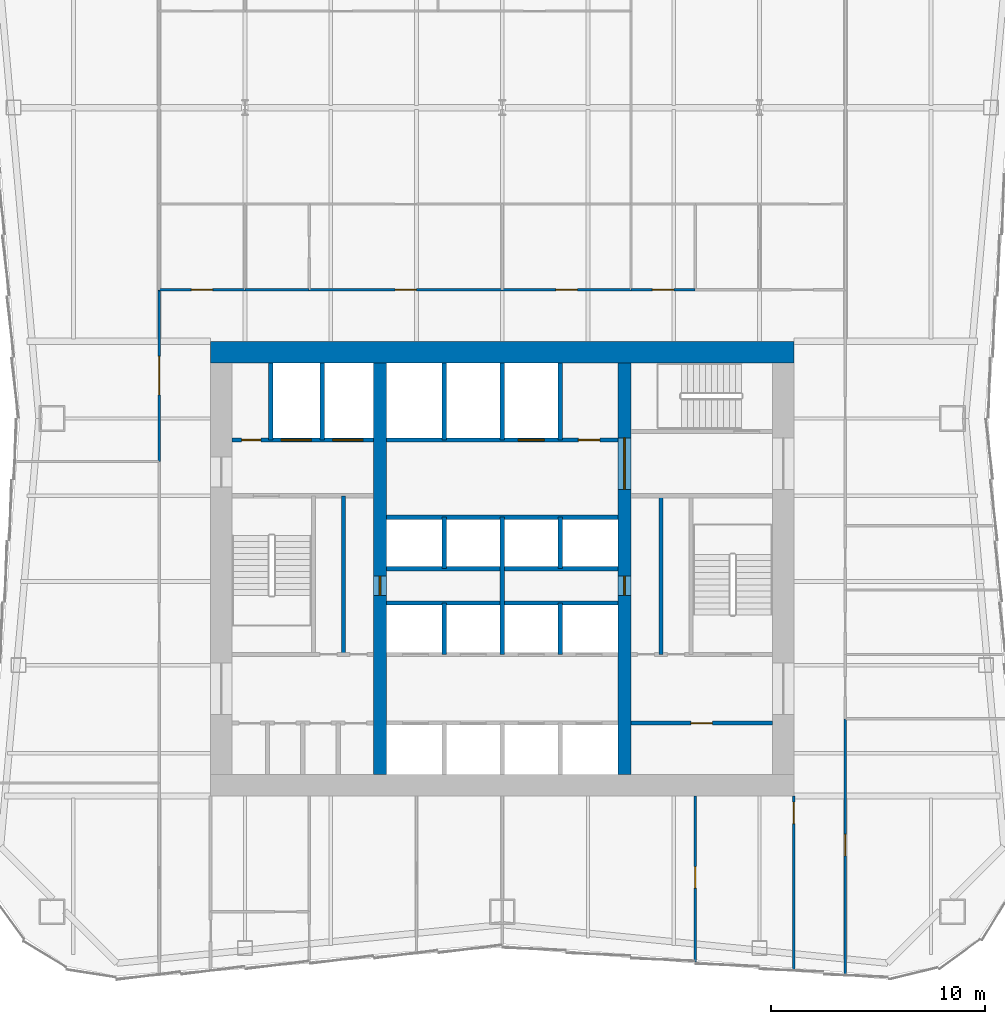
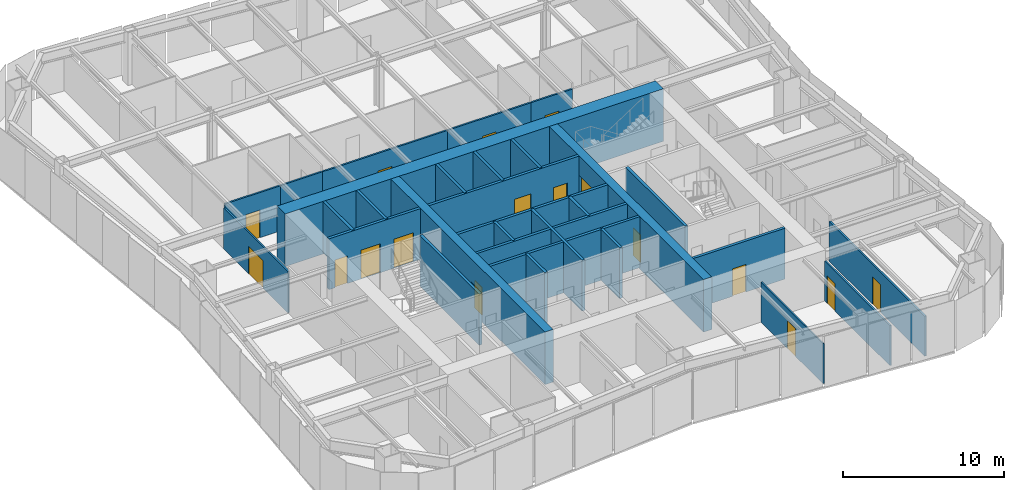
# One storey, part 5 of 8: 30 walls, 17 doors, 17 openings.
"""IFC4 building model written with IfcOpenShell, lengths in metres."""

import ifcopenshell
import ifcopenshell.guid

model = None  # the IFC model being written
_history = None  # IfcOwnerHistory: only IFC2X3 demands one
_inside = {}  # id of a spatial element -> (the spatial element, [elements in it])
_under = {}  # id of a project, library or spatial element -> (it, [spatial elements below it])
_declared = {}  # id of a project -> (the project, [libraries it declares])
_typed = {}  # id of a type object -> (the type object, [elements of that type])
_made_of = {}  # id of a material, layer set ... -> (it, [elements and type objects made of it])


def new_model(schema):
    """Start an empty IFC model of exactly this schema.

    Asked for "IFC4X3", IfcOpenShell would pick the latest addendum, in which some entities
    have other attributes; the version numbers below select the first issue.
    IFC2X3 requires an IfcOwnerHistory on every rooted entity: one is made here for all.
    """
    global model, _history
    if schema == "IFC4X3":
        model = ifcopenshell.file(schema_version=(4, 3, 0, 0))
    else:
        model = ifcopenshell.file(schema=schema)
    _inside.clear()
    _under.clear()
    _declared.clear()
    _typed.clear()
    _made_of.clear()
    _history = None
    if model.schema == "IFC2X3":
        org = make("IfcOrganization", Name="unknown")
        user = make(
            "IfcPersonAndOrganization",
            ThePerson=make("IfcPerson", FamilyName="unknown"),
            TheOrganization=org,
        )
        app = make(
            "IfcApplication",
            ApplicationDeveloper=org,
            Version="unknown",
            ApplicationFullName="unknown",
            ApplicationIdentifier="unknown",
        )
        _history = make(
            "IfcOwnerHistory",
            OwningUser=user,
            OwningApplication=app,
            ChangeAction="ADDED",
            CreationDate=0,
        )
    return model


def make(cls, **values):
    """One entity of the class cls with the attributes given. An attribute that is None is left unset."""
    return model.create_entity(
        cls, **{name: value for name, value in values.items() if value is not None}
    )


def rooted(cls, **values):
    """An entity with a GlobalId (a new one), such as an element, a storey or a relation."""
    return make(cls, GlobalId=ifcopenshell.guid.new(), OwnerHistory=_history, **values)


def si_unit(unit_type, name, prefix=None):
    """IfcSIUnit, for example si_unit("LENGTHUNIT", "METRE", prefix="MILLI")."""
    return make("IfcSIUnit", UnitType=unit_type, Prefix=prefix, Name=name)


def assignment(units):
    """IfcUnitAssignment: the units of a project."""
    return None if units is None else make("IfcUnitAssignment", Units=units)


def point(xyz):
    """IfcCartesianPoint."""
    return None if xyz is None else make("IfcCartesianPoint", Coordinates=xyz)


def direction(xyz):
    """IfcDirection."""
    return None if xyz is None else make("IfcDirection", DirectionRatios=xyz)


def frame(location, z_axis=None, x_axis=None):
    """IfcAxis2Placement3D, a coordinate frame: its origin and axes. An axis left out is left unset."""
    return make(
        "IfcAxis2Placement3D",
        Location=point(location),
        Axis=direction(z_axis),
        RefDirection=direction(x_axis),
    )


def frame_2d(location, x_axis=None):
    """IfcAxis2Placement2D, a coordinate frame in the plane: its origin and x axis."""
    return make(
        "IfcAxis2Placement2D", Location=point(location), RefDirection=direction(x_axis)
    )


def origin():
    """The frame at (0, 0, 0) with its axes left unset."""
    return frame((0.0, 0.0, 0.0))


def place(relative_to, where):
    """IfcLocalPlacement: puts the frame where relative to a parent placement (None: the world)."""
    return make(
        "IfcLocalPlacement", PlacementRelTo=relative_to, RelativePlacement=where
    )


def context(
    kind, dimensions, precision=None, world=None, true_north=None, identifier=None
):
    """IfcGeometricRepresentationContext, for example the 3D "Model" context."""
    return make(
        "IfcGeometricRepresentationContext",
        ContextIdentifier=identifier,
        ContextType=kind,
        CoordinateSpaceDimension=dimensions,
        Precision=precision,
        WorldCoordinateSystem=world,
        TrueNorth=true_north,
    )


def subcontext(parent, identifier, kind, view, scale=None):
    """IfcGeometricRepresentationSubContext, for example "Body" below "Model"."""
    return make(
        "IfcGeometricRepresentationSubContext",
        ContextIdentifier=identifier,
        ContextType=kind,
        ParentContext=parent,
        TargetScale=scale,
        TargetView=view,
    )


def project(units=None, contexts=None):
    """IfcProject with its units and contexts."""
    return rooted(
        "IfcProject",
        Name="project",
        RepresentationContexts=contexts,
        UnitsInContext=assignment(units),
    )


def spatial(cls, under=None, at=None, **own):
    """A site, building, storey or space (cls), placed at a placement, below another one or the project."""
    s = rooted(cls, ObjectPlacement=at, **own)
    if under is not None:
        _under.setdefault(under.id(), (under, []))[1].append(s)
    return s


def profile(cls, at=None, kind="AREA", **sizes):
    """A parametric profile (cls). Its sizes go by their IFC names, for example OverallWidth=200.0."""
    return make(cls, ProfileType=kind, Position=at, **sizes)


def rectangle(**sizes):
    """IfcRectangleProfileDef."""
    return profile("IfcRectangleProfileDef", **sizes)


def extrude(swept, where, along, depth):
    """IfcExtrudedAreaSolid: the profile swept, set in the frame where, extruded along a direction by depth."""
    return make(
        "IfcExtrudedAreaSolid",
        SweptArea=swept,
        Position=where,
        ExtrudedDirection=direction(along),
        Depth=depth,
    )


def shape(context_of_items, identifier, shape_type, items):
    """IfcShapeRepresentation: the items that make up one representation, for example the "Body"."""
    return make(
        "IfcShapeRepresentation",
        ContextOfItems=context_of_items,
        RepresentationIdentifier=identifier,
        RepresentationType=shape_type,
        Items=items,
    )


def material(Name=None, Category=None):
    """IfcMaterial."""
    return make("IfcMaterial", Name=Name, Category=Category)


def layer(
    of_material, thickness, ventilated=None, Name=None, Category=None, Priority=None
):
    """IfcMaterialLayer: one layer of a wall or slab, of a material (None: an air gap)."""
    return make(
        "IfcMaterialLayer",
        Material=of_material,
        LayerThickness=thickness,
        IsVentilated=ventilated,
        Name=Name,
        Category=Category,
        Priority=Priority,
    )


def layer_set(layers, Name=None):
    """IfcMaterialLayerSet."""
    return make("IfcMaterialLayerSet", MaterialLayers=layers, LayerSetName=Name)


def made_of(thing, what):
    """Note that an element or type object is made of a material, layer set ...; save() writes the relation."""
    if what is not None:
        _made_of.setdefault(what.id(), (what, []))[1].append(thing)
    return thing


def type_object(cls, material=None, **own):
    """A type object (cls), such as IfcWallType, which elements share."""
    return made_of(rooted(cls, **own), material)


def element(
    cls,
    number,
    at=None,
    inside=None,
    cuts=None,
    type_object=None,
    material=None,
    context=None,
    identifier="Body",
    shape_type=None,
    held_by="IfcProductDefinitionShape",
    body=None,
    shapes=None,
    **own,
):
    """One element of the class cls, such as IfcWall. Its Tag is "e" and its number.

    at: its placement. inside: the storey or other place that contains it. cuts: it is an
    opening in that element (IfcRelVoidsElement). A single representation is given by context,
    identifier, shape_type and body (its items); several are given by shapes. held_by: the class
    of the entity that holds the representations. save() writes the other relations.
    """
    e = rooted(cls, Tag="e%d" % number, ObjectPlacement=at, **own)
    if body is not None:
        shapes = [shape(context, identifier, shape_type, body)]
    if shapes is not None:
        e.Representation = make(held_by, Representations=shapes)
    if inside is not None:
        _inside.setdefault(inside.id(), (inside, []))[1].append(e)
    if cuts is not None:
        rooted(
            "IfcRelVoidsElement", RelatingBuildingElement=cuts, RelatedOpeningElement=e
        )
    if type_object is not None:
        _typed.setdefault(type_object.id(), (type_object, []))[1].append(e)
    return made_of(e, material)


def fill(opening, filler):
    """IfcRelFillsElement: the door or window that sits in an opening."""
    return rooted(
        "IfcRelFillsElement",
        RelatingOpeningElement=opening,
        RelatedBuildingElement=filler,
    )


def aggregate(whole, parts):
    """IfcRelAggregates: a whole, such as a stair, and the parts it consists of."""
    return rooted("IfcRelAggregates", RelatingObject=whole, RelatedObjects=parts)


def save(model, path):
    """Write the relations noted so far, then the file.

    IfcRelAggregates (storeys below a building ...), IfcRelContainedInSpatialStructure (elements
    in a storey), IfcRelDefinesByType, IfcRelAssociatesMaterial and IfcRelDeclares: one each for
    every whole, place, type object, material and project.
    """
    for whole, parts in _under.values():
        aggregate(whole, parts)
    for where, things in _inside.values():
        rooted(
            "IfcRelContainedInSpatialStructure",
            RelatedElements=things,
            RelatingStructure=where,
        )
    for kind, things in _typed.values():
        rooted("IfcRelDefinesByType", RelatedObjects=things, RelatingType=kind)
    for what, things in _made_of.values():
        rooted("IfcRelAssociatesMaterial", RelatedObjects=things, RelatingMaterial=what)
    for by, libraries in _declared.values():
        rooted("IfcRelDeclares", RelatingContext=by, RelatedDefinitions=libraries)
    model.write(path)


model = new_model("IFC4")

# Units and contexts
model_context = context("Model", 3, precision=1e-05, world=origin(), true_north=direction((0.0, 1.0)))
body_context = subcontext(model_context, "Body", "Model", "MODEL_VIEW")
ifc_project = project(units=[si_unit("LENGTHUNIT", "METRE"), si_unit("AREAUNIT", "SQUARE_METRE"), si_unit("VOLUMEUNIT", "CUBIC_METRE"), si_unit("PLANEANGLEUNIT", "RADIAN"), si_unit("MASSUNIT", "GRAM", prefix="KILO")], contexts=[model_context])

# Site, building, storey
site_placement = place(None, origin())
site = spatial("IfcSite", under=ifc_project, at=site_placement, CompositionType="ELEMENT")
building_placement = place(site_placement, origin())
building = spatial("IfcBuilding", under=site, at=building_placement, Name="Verdant Reach Tower", CompositionType="ELEMENT")
storey_placement = place(building_placement, frame((0.0, 0.0, 146.0)))
storey = spatial("IfcBuildingStorey", under=building, at=storey_placement, Name="L33", CompositionType="ELEMENT", Elevation=146.0)

# Wall, opening, door
ifc_material_1 = material(Name="Gypsum board on steel studs", Category="steel")
ifc_layer_1 = layer(ifc_material_1, 0.199951171875)
ifc_layer_set_1 = layer_set([ifc_layer_1], Name="CO-WALL-ROOM")
wall_type_1 = type_object("IfcWallType", Name="CO-WALL-ROOM", PredefinedType="PARTITIONING", material=ifc_layer_set_1)
wall_1_placement = place(storey_placement, frame((6.0, 20.800048828125, 0.0), z_axis=(0.0, 0.0, 1.0), x_axis=(1.0, 0.0, 0.0)))
wall_1 = element("IfcWall", 1, at=wall_1_placement, inside=storey, type_object=wall_type_1, Name="Core partition, L33", PredefinedType="PARTITIONING", context=body_context, shape_type="SweptSolid", body=[
    extrude(rectangle(XDim=6.60009765625, YDim=0.199951171875, at=frame_2d((3.300048828125, 0.0))), origin(), (0.0, 0.0, 1.0), 3.8701171875),
])
opening_1_placement = place(wall_1_placement, frame((2.800048828125, 0.0, 0.0)))
opening_1 = element("IfcOpeningElement", 2, at=opening_1_placement, cuts=wall_1, Name="Opening CD", PredefinedType="OPENING", context=body_context, shape_type="SweptSolid", body=[
    extrude(rectangle(XDim=1.0, YDim=2.10009765625, at=frame_2d((0.5, 1.050048828125))), frame((0.0, 0.10986328125, 0.0), z_axis=(0.0, -1.0, 0.0), x_axis=(1.0, 0.0, 0.0)), (0.0, 0.0, 1.0), 0.219970703125),
])
ifc_material_2 = material(Name="Timber", Category="wood")
door_type_1 = type_object("IfcDoorType", Name="CO-DOOR-ROOM", OperationType="NOTDEFINED", PredefinedType="DOOR", material=ifc_material_2)
door_1_placement = place(opening_1_placement, origin())
door_1 = element("IfcDoor", 3, at=door_1_placement, inside=storey, type_object=door_type_1, Name="Core room door, L33", OperationType="SINGLE_SWING_LEFT", OverallHeight=2.10009765625, OverallWidth=1.0, PredefinedType="DOOR", context=body_context, shape_type="SweptSolid", body=[
    extrude(rectangle(XDim=1.0, YDim=2.10009765625, at=frame_2d((0.5, 1.050048828125))), frame((0.0, 0.02490234375, 0.0), z_axis=(0.0, -1.0, 0.0), x_axis=(1.0, 0.0, 0.0)), (0.0, 0.0, 1.0), 0.050048828125),
])
fill(opening_1, door_1)

# Walls
for number, where, z_axis, x_axis, name in (
    (4, (-7.39990234375, 24.0, 0.0), (0.0, 0.0, 1.0), (0.0, 1.0, 0.0), "Core partition, L33"),
    (5, (7.39990234375, 24.0, 0.0), (0.0, 0.0, 1.0), (0.0, 1.0, 0.0), "Core partition, L33"),
):
    element("IfcWall", number, at=place(storey_placement, frame(where, z_axis=z_axis, x_axis=x_axis)), inside=storey, type_object=wall_type_1, Name=name, PredefinedType="PARTITIONING", context=body_context, shape_type="SweptSolid", body=[
        extrude(rectangle(XDim=7.39990234375, YDim=0.199951171875, at=frame_2d((3.699951171875, 0.0))), origin(), (0.0, 0.0, 1.0), 3.8701171875),
    ])
ifc_material_3 = material(Name="Concrete C40/50", Category="concrete")
ifc_layer_2 = layer(ifc_material_3, 0.199951171875)
ifc_layer_set_2 = layer_set([ifc_layer_2], Name="CO-WALL-SHAFT")
wall_type_2 = type_object("IfcWallType", Name="CO-WALL-SHAFT", PredefinedType="PARTITIONING", material=ifc_layer_set_2)
for number, where, z_axis, x_axis, name in (
    (6, (-5.39990234375, 26.39990234375, 0.0), (0.0, 0.0, 1.0), (1.0, 0.0, 0.0), "Lift shaft wall, L33"),
    (7, (-5.39990234375, 28.0, 0.0), (0.0, 0.0, 1.0), (1.0, 0.0, 0.0), "Lift shaft wall, L33"),
    (8, (-5.39990234375, 30.39990234375, 0.0), (0.0, 0.0, 1.0), (1.0, 0.0, 0.0), "Lift shaft wall, L33"),
):
    element("IfcWall", number, at=place(storey_placement, frame(where, z_axis=z_axis, x_axis=x_axis)), inside=storey, type_object=wall_type_2, Name=name, PredefinedType="PARTITIONING", context=body_context, shape_type="SweptSolid", body=[
        extrude(rectangle(XDim=10.7998046875, YDim=0.199951171875, at=frame_2d((5.39990234375, 0.0))), origin(), (0.0, 0.0, 1.0), 3.8701171875),
    ])

# Wall, openings, doors
wall_2_placement = place(storey_placement, frame((-12.60009765625, 34.0, 0.0), z_axis=(0.0, 0.0, 1.0), x_axis=(1.0, 0.0, 0.0)))
wall_2 = element("IfcWall", 9, at=wall_2_placement, inside=storey, type_object=wall_type_2, Name="Lift shaft wall, L33", PredefinedType="PARTITIONING", context=body_context, shape_type="SweptSolid", body=[
    extrude(rectangle(XDim=6.60009765625, YDim=0.199951171875, at=frame_2d((3.300048828125, 0.0))), origin(), (0.0, 0.0, 1.0), 3.8701171875),
])
opening_2_placement = place(wall_2_placement, frame((4.699951171875, 0.0, 0.0)))
opening_2 = element("IfcOpeningElement", 10, at=opening_2_placement, cuts=wall_2, Name="Opening LD-F1", PredefinedType="OPENING", context=body_context, shape_type="SweptSolid", body=[
    extrude(rectangle(XDim=1.39990234375, YDim=2.199951171875, at=frame_2d((0.699951171875, 1.10009765625))), frame((0.0, 0.10986328125, 0.0), z_axis=(0.0, -1.0, 0.0), x_axis=(1.0, 0.0, 0.0)), (0.0, 0.0, 1.0), 0.219970703125),
])
opening_3_placement = place(wall_2_placement, frame((2.300048828125, 0.0, 0.0)))
opening_3 = element("IfcOpeningElement", 11, at=opening_3_placement, cuts=wall_2, Name="Opening LD-F2", PredefinedType="OPENING", context=body_context, shape_type="SweptSolid", body=[
    extrude(rectangle(XDim=1.39990234375, YDim=2.199951171875, at=frame_2d((0.699951171875, 1.10009765625))), frame((0.0, 0.10986328125, 0.0), z_axis=(0.0, -1.0, 0.0), x_axis=(1.0, 0.0, 0.0)), (0.0, 0.0, 1.0), 0.219970703125),
])
opening_4_placement = place(wall_2_placement, frame((0.449951171875, 0.0, 0.0)))
opening_4 = element("IfcOpeningElement", 12, at=opening_4_placement, cuts=wall_2, Name="Opening RD", PredefinedType="OPENING", context=body_context, shape_type="SweptSolid", body=[
    extrude(rectangle(XDim=0.89990234375, YDim=2.10009765625, at=frame_2d((0.449951171875, 1.050048828125))), frame((0.0, 0.10986328125, 0.0), z_axis=(0.0, -1.0, 0.0), x_axis=(1.0, 0.0, 0.0)), (0.0, 0.0, 1.0), 0.219970703125),
])
ifc_material_4 = material(Name="Stainless steel", Category="steel")
door_type_2 = type_object("IfcDoorType", Name="CO-DOOR-LANDING-FF", OperationType="SLIDING_TO_LEFT", PredefinedType="DOOR", material=ifc_material_4)
door_2_placement = place(opening_2_placement, origin())
door_2 = element("IfcDoor", 13, at=door_2_placement, inside=storey, type_object=door_type_2, Name="Landing door F1, L33", OperationType="SLIDING_TO_LEFT", OverallHeight=2.199951171875, OverallWidth=1.39990234375, PredefinedType="DOOR", context=body_context, shape_type="SweptSolid", body=[
    extrude(rectangle(XDim=1.39990234375, YDim=2.199951171875, at=frame_2d((0.699951171875, 1.10009765625))), frame((0.0, 0.02490234375, 0.0), z_axis=(0.0, -1.0, 0.0), x_axis=(1.0, 0.0, 0.0)), (0.0, 0.0, 1.0), 0.050048828125),
])
fill(opening_2, door_2)
door_3_placement = place(opening_3_placement, origin())
door_3 = element("IfcDoor", 14, at=door_3_placement, inside=storey, type_object=door_type_2, Name="Landing door F2, L33", OperationType="SLIDING_TO_LEFT", OverallHeight=2.199951171875, OverallWidth=1.39990234375, PredefinedType="DOOR", context=body_context, shape_type="SweptSolid", body=[
    extrude(rectangle(XDim=1.39990234375, YDim=2.199951171875, at=frame_2d((0.699951171875, 1.10009765625))), frame((0.0, 0.02490234375, 0.0), z_axis=(0.0, -1.0, 0.0), x_axis=(1.0, 0.0, 0.0)), (0.0, 0.0, 1.0), 0.050048828125),
])
fill(opening_3, door_3)
ifc_material_5 = material(Name="Steel", Category="steel")
door_type_3 = type_object("IfcDoorType", Name="CO-DOOR-RISER", OperationType="NOTDEFINED", PredefinedType="DOOR", material=ifc_material_5)
door_4_placement = place(opening_4_placement, origin())
door_4 = element("IfcDoor", 15, at=door_4_placement, inside=storey, type_object=door_type_3, Name="Core room door, L33", OperationType="SINGLE_SWING_RIGHT", OverallHeight=2.10009765625, OverallWidth=0.89990234375, PredefinedType="DOOR", context=body_context, shape_type="SweptSolid", body=[
    extrude(rectangle(XDim=0.89990234375, YDim=2.10009765625, at=frame_2d((0.449951171875, 1.050048828125))), frame((0.0, 0.02490234375, 0.0), z_axis=(0.0, -1.0, 0.0), x_axis=(1.0, 0.0, 0.0)), (0.0, 0.0, 1.0), 0.050048828125),
])
fill(opening_4, door_4)

wall_3_placement = place(storey_placement, frame((-5.39990234375, 34.0, 0.0), z_axis=(0.0, 0.0, 1.0), x_axis=(1.0, 0.0, 0.0)))
wall_3 = element("IfcWall", 16, at=wall_3_placement, inside=storey, type_object=wall_type_2, Name="Lift shaft wall, L33", PredefinedType="PARTITIONING", context=body_context, shape_type="SweptSolid", body=[
    extrude(rectangle(XDim=10.7998046875, YDim=0.199951171875, at=frame_2d((5.39990234375, 0.0))), origin(), (0.0, 0.0, 1.0), 3.8701171875),
])
opening_5_placement = place(wall_3_placement, frame((6.14990234375, 0.0, 0.0)))
opening_5 = element("IfcOpeningElement", 17, at=opening_5_placement, cuts=wall_3, Name="Opening LD-SL1", PredefinedType="OPENING", context=body_context, shape_type="SweptSolid", body=[
    extrude(rectangle(XDim=1.199951171875, YDim=2.199951171875, at=frame_2d((0.60009765625, 1.10009765625))), frame((0.0, 0.10986328125, 0.0), z_axis=(0.0, -1.0, 0.0), x_axis=(1.0, 0.0, 0.0)), (0.0, 0.0, 1.0), 0.219970703125),
])
opening_6_placement = place(wall_3_placement, frame((8.949951171875, 0.0, 0.0)))
opening_6 = element("IfcOpeningElement", 18, at=opening_6_placement, cuts=wall_3, Name="Opening CD", PredefinedType="OPENING", context=body_context, shape_type="SweptSolid", body=[
    extrude(rectangle(XDim=1.0, YDim=2.10009765625, at=frame_2d((0.5, 1.050048828125))), frame((0.0, 0.10986328125, 0.0), z_axis=(0.0, -1.0, 0.0), x_axis=(1.0, 0.0, 0.0)), (0.0, 0.0, 1.0), 0.219970703125),
])
door_type_4 = type_object("IfcDoorType", Name="CO-DOOR-LANDING", OperationType="SLIDING_TO_LEFT", PredefinedType="DOOR", material=ifc_material_4)
door_5_placement = place(opening_5_placement, origin())
door_5 = element("IfcDoor", 19, at=door_5_placement, inside=storey, type_object=door_type_4, Name="Landing door SL1, L33", OperationType="SLIDING_TO_LEFT", OverallHeight=2.199951171875, OverallWidth=1.199951171875, PredefinedType="DOOR", context=body_context, shape_type="SweptSolid", body=[
    extrude(rectangle(XDim=1.199951171875, YDim=2.199951171875, at=frame_2d((0.60009765625, 1.10009765625))), frame((0.0, 0.02490234375, 0.0), z_axis=(0.0, -1.0, 0.0), x_axis=(1.0, 0.0, 0.0)), (0.0, 0.0, 1.0), 0.050048828125),
])
fill(opening_5, door_5)
door_6_placement = place(opening_6_placement, origin())
door_6 = element("IfcDoor", 20, at=door_6_placement, inside=storey, type_object=door_type_1, Name="Core room door, L33", OperationType="SINGLE_SWING_LEFT", OverallHeight=2.10009765625, OverallWidth=1.0, PredefinedType="DOOR", context=body_context, shape_type="SweptSolid", body=[
    extrude(rectangle(XDim=1.0, YDim=2.10009765625, at=frame_2d((0.5, 1.050048828125))), frame((0.0, 0.02490234375, 0.0), z_axis=(0.0, -1.0, 0.0), x_axis=(1.0, 0.0, 0.0)), (0.0, 0.0, 1.0), 0.050048828125),
])
fill(opening_6, door_6)

# Walls
for number, where, z_axis, x_axis, name in (
    (21, (-10.800048828125, 34.0, 0.0), (0.0, 0.0, 1.0), (0.0, 1.0, 0.0), "Lift shaft wall, L33"),
    (22, (-8.39990234375, 34.0, 0.0), (0.0, 0.0, 1.0), (0.0, 1.0, 0.0), "Lift shaft wall, L33"),
):
    element("IfcWall", number, at=place(storey_placement, frame(where, z_axis=z_axis, x_axis=x_axis)), inside=storey, type_object=wall_type_2, Name=name, PredefinedType="PARTITIONING", context=body_context, shape_type="SweptSolid", body=[
        extrude(rectangle(XDim=3.60009765625, YDim=0.199951171875, at=frame_2d((1.800048828125, 0.0))), origin(), (0.0, 0.0, 1.0), 3.8701171875),
    ])
for number, where, z_axis, x_axis, name in (
    (23, (-2.699951171875, 24.0, 0.0), (0.0, 0.0, 1.0), (0.0, 1.0, 0.0), "Lift shaft wall, L33"),
    (24, (-2.699951171875, 28.0, 0.0), (0.0, 0.0, 1.0), (0.0, 1.0, 0.0), "Lift shaft wall, L33"),
):
    element("IfcWall", number, at=place(storey_placement, frame(where, z_axis=z_axis, x_axis=x_axis)), inside=storey, type_object=wall_type_2, Name=name, PredefinedType="PARTITIONING", context=body_context, shape_type="SweptSolid", body=[
        extrude(rectangle(XDim=2.39990234375, YDim=0.199951171875, at=frame_2d((1.199951171875, 0.0))), origin(), (0.0, 0.0, 1.0), 3.8701171875),
    ])
wall_4_placement = place(storey_placement, frame((-2.699951171875, 34.0, 0.0), z_axis=(0.0, 0.0, 1.0), x_axis=(0.0, 1.0, 0.0)))
element("IfcWall", 25, at=wall_4_placement, inside=storey, type_object=wall_type_2, Name="Lift shaft wall, L33", PredefinedType="PARTITIONING", context=body_context, shape_type="SweptSolid", body=[
    extrude(rectangle(XDim=3.60009765625, YDim=0.199951171875, at=frame_2d((1.800048828125, 0.0))), origin(), (0.0, 0.0, 1.0), 3.8701171875),
])
wall_5_placement = place(storey_placement, frame((0.0, 24.0, 0.0), z_axis=(0.0, 0.0, 1.0), x_axis=(0.0, 1.0, 0.0)))
element("IfcWall", 26, at=wall_5_placement, inside=storey, type_object=wall_type_2, Name="Lift shaft wall, L33", PredefinedType="PARTITIONING", context=body_context, shape_type="SweptSolid", body=[
    extrude(rectangle(XDim=6.39990234375, YDim=0.199951171875, at=frame_2d((3.199951171875, 0.0))), origin(), (0.0, 0.0, 1.0), 3.8701171875),
])
wall_6_placement = place(storey_placement, frame((0.0, 34.0, 0.0), z_axis=(0.0, 0.0, 1.0), x_axis=(0.0, 1.0, 0.0)))
element("IfcWall", 27, at=wall_6_placement, inside=storey, type_object=wall_type_2, Name="Lift shaft wall, L33", PredefinedType="PARTITIONING", context=body_context, shape_type="SweptSolid", body=[
    extrude(rectangle(XDim=3.60009765625, YDim=0.199951171875, at=frame_2d((1.800048828125, 0.0))), origin(), (0.0, 0.0, 1.0), 3.8701171875),
])
for number, where, z_axis, x_axis, name in (
    (28, (2.699951171875, 24.0, 0.0), (0.0, 0.0, 1.0), (0.0, 1.0, 0.0), "Lift shaft wall, L33"),
    (29, (2.699951171875, 28.0, 0.0), (0.0, 0.0, 1.0), (0.0, 1.0, 0.0), "Lift shaft wall, L33"),
):
    element("IfcWall", number, at=place(storey_placement, frame(where, z_axis=z_axis, x_axis=x_axis)), inside=storey, type_object=wall_type_2, Name=name, PredefinedType="PARTITIONING", context=body_context, shape_type="SweptSolid", body=[
        extrude(rectangle(XDim=2.39990234375, YDim=0.199951171875, at=frame_2d((1.199951171875, 0.0))), origin(), (0.0, 0.0, 1.0), 3.8701171875),
    ])
wall_7_placement = place(storey_placement, frame((2.699951171875, 34.0, 0.0), z_axis=(0.0, 0.0, 1.0), x_axis=(0.0, 1.0, 0.0)))
element("IfcWall", 30, at=wall_7_placement, inside=storey, type_object=wall_type_2, Name="Lift shaft wall, L33", PredefinedType="PARTITIONING", context=body_context, shape_type="SweptSolid", body=[
    extrude(rectangle(XDim=3.60009765625, YDim=0.199951171875, at=frame_2d((1.800048828125, 0.0))), origin(), (0.0, 0.0, 1.0), 3.8701171875),
])

# Wall, opening, door
ifc_layer_3 = layer(ifc_material_1, 0.10009765625)
ifc_layer_set_3 = layer_set([ifc_layer_3], Name="FL-W1 Partition 100")
wall_type_3 = type_object("IfcWallType", Name="FL-W1 Partition 100", PredefinedType="PARTITIONING", material=ifc_layer_set_3)
wall_8_placement = place(storey_placement, frame((9.0, 9.669921875, 0.0), z_axis=(0.0, 0.0, 1.0), x_axis=(0.0, 1.0, 0.0)))
wall_8 = element("IfcWall", 31, at=wall_8_placement, inside=storey, type_object=wall_type_3, Name="Partition 33.36", PredefinedType="PARTITIONING", context=body_context, shape_type="SweptSolid", body=[
    extrude(rectangle(XDim=7.72998046875, YDim=0.10009765625, at=frame_2d((3.864990234375, 0.0))), origin(), (0.0, 0.0, 1.0), 3.0400390625),
])
opening_7_placement = place(wall_8_placement, frame((3.43017578125, 0.0, 0.0)))
opening_7 = element("IfcOpeningElement", 32, at=opening_7_placement, cuts=wall_8, Name="Opening D3", PredefinedType="OPENING", context=body_context, shape_type="SweptSolid", body=[
    extrude(rectangle(XDim=1.0, YDim=2.10009765625, at=frame_2d((0.5, 1.050048828125))), frame((0.0, 0.06005859375, 0.0), z_axis=(0.0, -1.0, 0.0), x_axis=(1.0, 0.0, 0.0)), (0.0, 0.0, 1.0), 0.1201171875),
])
ifc_material_6 = material(Name="Painted timber door leaf", Category="wood")
door_type_5 = type_object("IfcDoorType", Name="FL-D3 Door 1000x2100", OperationType="NOTDEFINED", PredefinedType="DOOR", material=ifc_material_6)
door_7_placement = place(opening_7_placement, origin())
door_7 = element("IfcDoor", 33, at=door_7_placement, inside=storey, type_object=door_type_5, Name="Door 33-019", OperationType="SINGLE_SWING_RIGHT", OverallHeight=2.10009765625, OverallWidth=1.0, PredefinedType="DOOR", context=body_context, shape_type="SweptSolid", body=[
    extrude(rectangle(XDim=1.0, YDim=2.10009765625, at=frame_2d((0.5, 1.050048828125))), frame((0.0, 0.02490234375, 0.0), z_axis=(0.0, -1.0, 0.0), x_axis=(1.0, 0.0, 0.0)), (0.0, 0.0, 1.0), 0.050048828125),
])
fill(opening_7, door_7)

ifc_material_7 = material(Name="Gypsum board on steel studs, fire rated", Category="steel")
ifc_layer_4 = layer(ifc_material_7, 0.125)
ifc_layer_set_4 = layer_set([ifc_layer_4], Name="FL-W2 Corridor wall 125")
wall_type_4 = type_object("IfcWallType", Name="FL-W2 Corridor wall 125", PredefinedType="PARTITIONING", material=ifc_layer_set_4)
wall_9_placement = place(storey_placement, frame((-16.0, 41.00390625, 0.0), z_axis=(0.0, 0.0, 1.0), x_axis=(0.0, -1.0, 0.0)))
wall_9 = element("IfcWall", 34, at=wall_9_placement, inside=storey, type_object=wall_type_4, Name="Partition 33.03", PredefinedType="PARTITIONING", context=body_context, shape_type="SweptSolid", body=[
    extrude(rectangle(XDim=8.00390625, YDim=0.125, at=frame_2d((4.001953125, 0.0))), origin(), (0.0, 0.0, 1.0), 3.139892578125),
])
opening_8_placement = place(wall_9_placement, frame((3.10205078125, 0.0, 0.0)))
opening_8 = element("IfcOpeningElement", 35, at=opening_8_placement, cuts=wall_9, Name="Opening D4", PredefinedType="OPENING", context=body_context, shape_type="SweptSolid", body=[
    extrude(rectangle(XDim=1.800048828125, YDim=2.10009765625, at=frame_2d((0.89990234375, 1.050048828125))), frame((0.0, 0.072509765625, 0.0), z_axis=(0.0, -1.0, 0.0), x_axis=(1.0, 0.0, 0.0)), (0.0, 0.0, 1.0), 0.14501953125),
])
ifc_material_8 = material(Name="Timber door leaves, fire rated", Category="wood")
door_type_6 = type_object("IfcDoorType", Name="FL-D4 Double door 1800x2100 FD30", OperationType="DOUBLE_DOOR_SINGLE_SWING", PredefinedType="DOOR", material=ifc_material_8)
door_8_placement = place(opening_8_placement, origin())
door_8 = element("IfcDoor", 36, at=door_8_placement, inside=storey, type_object=door_type_6, Name="Door 33-003", OperationType="DOUBLE_DOOR_SINGLE_SWING", OverallHeight=2.10009765625, OverallWidth=1.800048828125, PredefinedType="DOOR", context=body_context, shape_type="SweptSolid", body=[
    extrude(rectangle(XDim=1.800048828125, YDim=2.10009765625, at=frame_2d((0.89990234375, 1.050048828125))), frame((0.0, 0.02490234375, 0.0), z_axis=(0.0, -1.0, 0.0), x_axis=(1.0, 0.0, 0.0)), (0.0, 0.0, 1.0), 0.050048828125),
])
fill(opening_8, door_8)

wall_10_placement = place(storey_placement, frame((16.0, 21.0, 0.0), z_axis=(0.0, 0.0, 1.0), x_axis=(0.0, -1.0, 0.0)))
wall_10 = element("IfcWall", 37, at=wall_10_placement, inside=storey, type_object=wall_type_4, Name="Partition 33.04", PredefinedType="PARTITIONING", context=body_context, shape_type="SweptSolid", body=[
    extrude(rectangle(XDim=11.913330078125, YDim=0.125, at=frame_2d((5.95654296875, 0.0))), origin(), (0.0, 0.0, 1.0), 3.0400390625),
])
opening_9_placement = place(wall_10_placement, frame((5.3916015625, 0.0, 0.0)))
opening_9 = element("IfcOpeningElement", 38, at=opening_9_placement, cuts=wall_10, Name="Opening D2", PredefinedType="OPENING", context=body_context, shape_type="SweptSolid", body=[
    extrude(rectangle(XDim=1.0, YDim=2.10009765625, at=frame_2d((0.5, 1.050048828125))), frame((0.0, 0.072509765625, 0.0), z_axis=(0.0, -1.0, 0.0), x_axis=(1.0, 0.0, 0.0)), (0.0, 0.0, 1.0), 0.14501953125),
])
ifc_material_9 = material(Name="Timber door leaf, fire rated", Category="wood")
door_type_7 = type_object("IfcDoorType", Name="FL-D2 Entrance door 1000x2100 FD30", OperationType="NOTDEFINED", PredefinedType="DOOR", material=ifc_material_9)
door_9_placement = place(opening_9_placement, origin())
door_9 = element("IfcDoor", 39, at=door_9_placement, inside=storey, type_object=door_type_7, Name="Door 33-004", OperationType="SINGLE_SWING_LEFT", OverallHeight=2.10009765625, OverallWidth=1.0, PredefinedType="DOOR", context=body_context, shape_type="SweptSolid", body=[
    extrude(rectangle(XDim=1.0, YDim=2.10009765625, at=frame_2d((0.5, 1.050048828125))), frame((0.0, 0.02490234375, 0.0), z_axis=(0.0, -1.0, 0.0), x_axis=(1.0, 0.0, 0.0)), (0.0, 0.0, 1.0), 0.050048828125),
])
fill(opening_9, door_9)

wall_11_placement = place(storey_placement, frame((13.60009765625, 9.28662109375, 0.0), z_axis=(0.0, 0.0, 1.0), x_axis=(0.0, 1.0, 0.0)))
wall_11 = element("IfcWall", 40, at=wall_11_placement, inside=storey, type_object=wall_type_4, Name="Partition 33.11", PredefinedType="PARTITIONING", context=body_context, shape_type="SweptSolid", body=[
    extrude(rectangle(XDim=8.11328125, YDim=0.125, at=frame_2d((4.056640625, 0.0))), origin(), (0.0, 0.0, 1.0), 3.0400390625),
])
opening_10_placement = place(wall_11_placement, frame((6.82177734375, 0.0, 0.0)))
opening_10 = element("IfcOpeningElement", 41, at=opening_10_placement, cuts=wall_11, Name="Opening D2", PredefinedType="OPENING", context=body_context, shape_type="SweptSolid", body=[
    extrude(rectangle(XDim=1.0, YDim=2.10009765625, at=frame_2d((0.5, 1.050048828125))), frame((0.0, 0.072509765625, 0.0), z_axis=(0.0, -1.0, 0.0), x_axis=(1.0, 0.0, 0.0)), (0.0, 0.0, 1.0), 0.14501953125),
])
door_10_placement = place(opening_10_placement, origin())
door_10 = element("IfcDoor", 42, at=door_10_placement, inside=storey, type_object=door_type_7, Name="Door 33-010", OperationType="SINGLE_SWING_RIGHT", OverallHeight=2.10009765625, OverallWidth=1.0, PredefinedType="DOOR", context=body_context, shape_type="SweptSolid", body=[
    extrude(rectangle(XDim=1.0, YDim=2.10009765625, at=frame_2d((0.5, 1.050048828125))), frame((0.0, 0.02490234375, 0.0), z_axis=(0.0, -1.0, 0.0), x_axis=(1.0, 0.0, 0.0)), (0.0, 0.0, 1.0), 0.050048828125),
])
fill(opening_10, door_10)

wall_12_placement = place(storey_placement, frame((-16.0, 41.0, 0.0), z_axis=(0.0, 0.0, 1.0), x_axis=(1.0, 0.0, 0.0)))
wall_12 = element("IfcWall", 43, at=wall_12_placement, inside=storey, type_object=wall_type_4, Name="Partition 33.12", PredefinedType="PARTITIONING", context=body_context, shape_type="SweptSolid", body=[
    extrude(rectangle(XDim=4.0, YDim=0.125, at=frame_2d((2.0, 0.0))), origin(), (0.0, 0.0, 1.0), 3.43994140625),
])
opening_11_placement = place(wall_12_placement, frame((1.5, 0.0, 0.0)))
opening_11 = element("IfcOpeningElement", 44, at=opening_11_placement, cuts=wall_12, Name="Opening D2", PredefinedType="OPENING", context=body_context, shape_type="SweptSolid", body=[
    extrude(rectangle(XDim=1.0, YDim=2.10009765625, at=frame_2d((0.5, 1.050048828125))), frame((0.0, 0.072509765625, 0.0), z_axis=(0.0, -1.0, 0.0), x_axis=(1.0, 0.0, 0.0)), (0.0, 0.0, 1.0), 0.14501953125),
])
door_11_placement = place(opening_11_placement, origin())
door_11 = element("IfcDoor", 45, at=door_11_placement, inside=storey, type_object=door_type_7, Name="Door 33-011", OperationType="SINGLE_SWING_LEFT", OverallHeight=2.10009765625, OverallWidth=1.0, PredefinedType="DOOR", context=body_context, shape_type="SweptSolid", body=[
    extrude(rectangle(XDim=1.0, YDim=2.10009765625, at=frame_2d((0.5, 1.050048828125))), frame((0.0, 0.02490234375, 0.0), z_axis=(0.0, -1.0, 0.0), x_axis=(1.0, 0.0, 0.0)), (0.0, 0.0, 1.0), 0.050048828125),
])
fill(opening_11, door_11)

# Wall
wall_13_placement = place(storey_placement, frame((-9.0, 41.0, 0.0), z_axis=(0.0, 0.0, 1.0), x_axis=(-1.0, 0.0, 0.0)))
element("IfcWall", 46, at=wall_13_placement, inside=storey, type_object=wall_type_4, Name="Partition 33.13", PredefinedType="PARTITIONING", context=body_context, shape_type="SweptSolid", body=[
    extrude(rectangle(XDim=3.0, YDim=0.125, at=frame_2d((1.5, 0.0))), origin(), (0.0, 0.0, 1.0), 3.43994140625),
])

# Wall, opening, door
wall_14_placement = place(storey_placement, frame((-9.0, 41.0, 0.0), z_axis=(0.0, 0.0, 1.0), x_axis=(1.0, 0.0, 0.0)))
wall_14 = element("IfcWall", 47, at=wall_14_placement, inside=storey, type_object=wall_type_4, Name="Partition 33.14", PredefinedType="PARTITIONING", context=body_context, shape_type="SweptSolid", body=[
    extrude(rectangle(XDim=9.0, YDim=0.125, at=frame_2d((4.5, 0.0))), origin(), (0.0, 0.0, 1.0), 3.43994140625),
])
opening_12_placement = place(wall_14_placement, frame((4.0, 0.0, 0.0)))
opening_12 = element("IfcOpeningElement", 48, at=opening_12_placement, cuts=wall_14, Name="Opening D2", PredefinedType="OPENING", context=body_context, shape_type="SweptSolid", body=[
    extrude(rectangle(XDim=1.0, YDim=2.10009765625, at=frame_2d((0.5, 1.050048828125))), frame((0.0, 0.072509765625, 0.0), z_axis=(0.0, -1.0, 0.0), x_axis=(1.0, 0.0, 0.0)), (0.0, 0.0, 1.0), 0.14501953125),
])
door_12_placement = place(opening_12_placement, origin())
door_12 = element("IfcDoor", 49, at=door_12_placement, inside=storey, type_object=door_type_7, Name="Door 33-012", OperationType="SINGLE_SWING_RIGHT", OverallHeight=2.10009765625, OverallWidth=1.0, PredefinedType="DOOR", context=body_context, shape_type="SweptSolid", body=[
    extrude(rectangle(XDim=1.0, YDim=2.10009765625, at=frame_2d((0.5, 1.050048828125))), frame((0.0, 0.02490234375, 0.0), z_axis=(0.0, -1.0, 0.0), x_axis=(1.0, 0.0, 0.0)), (0.0, 0.0, 1.0), 0.050048828125),
])
fill(opening_12, door_12)

wall_15_placement = place(storey_placement, frame((0.0, 41.0, 0.0), z_axis=(0.0, 0.0, 1.0), x_axis=(1.0, 0.0, 0.0)))
wall_15 = element("IfcWall", 50, at=wall_15_placement, inside=storey, type_object=wall_type_4, Name="Partition 33.15", PredefinedType="PARTITIONING", context=body_context, shape_type="SweptSolid", body=[
    extrude(rectangle(XDim=6.0, YDim=0.125, at=frame_2d((3.0, 0.0))), origin(), (0.0, 0.0, 1.0), 3.43994140625),
])
opening_13_placement = place(wall_15_placement, frame((2.5, 0.0, 0.0)))
opening_13 = element("IfcOpeningElement", 51, at=opening_13_placement, cuts=wall_15, Name="Opening D2", PredefinedType="OPENING", context=body_context, shape_type="SweptSolid", body=[
    extrude(rectangle(XDim=1.0, YDim=2.10009765625, at=frame_2d((0.5, 1.050048828125))), frame((0.0, 0.072509765625, 0.0), z_axis=(0.0, -1.0, 0.0), x_axis=(1.0, 0.0, 0.0)), (0.0, 0.0, 1.0), 0.14501953125),
])
door_13_placement = place(opening_13_placement, origin())
door_13 = element("IfcDoor", 52, at=door_13_placement, inside=storey, type_object=door_type_7, Name="Door 33-013", OperationType="SINGLE_SWING_LEFT", OverallHeight=2.10009765625, OverallWidth=1.0, PredefinedType="DOOR", context=body_context, shape_type="SweptSolid", body=[
    extrude(rectangle(XDim=1.0, YDim=2.10009765625, at=frame_2d((0.5, 1.050048828125))), frame((0.0, 0.02490234375, 0.0), z_axis=(0.0, -1.0, 0.0), x_axis=(1.0, 0.0, 0.0)), (0.0, 0.0, 1.0), 0.050048828125),
])
fill(opening_13, door_13)

wall_16_placement = place(storey_placement, frame((6.0, 41.0, 0.0), z_axis=(0.0, 0.0, 1.0), x_axis=(1.0, 0.0, 0.0)))
wall_16 = element("IfcWall", 53, at=wall_16_placement, inside=storey, type_object=wall_type_4, Name="Partition 33.16", PredefinedType="PARTITIONING", context=body_context, shape_type="SweptSolid", body=[
    extrude(rectangle(XDim=3.0, YDim=0.125, at=frame_2d((1.5, 0.0))), origin(), (0.0, 0.0, 1.0), 3.43994140625),
])
opening_14_placement = place(wall_16_placement, frame((1.0, 0.0, 0.0)))
opening_14 = element("IfcOpeningElement", 54, at=opening_14_placement, cuts=wall_16, Name="Opening D2", PredefinedType="OPENING", context=body_context, shape_type="SweptSolid", body=[
    extrude(rectangle(XDim=1.0, YDim=2.10009765625, at=frame_2d((0.5, 1.050048828125))), frame((0.0, 0.072509765625, 0.0), z_axis=(0.0, -1.0, 0.0), x_axis=(1.0, 0.0, 0.0)), (0.0, 0.0, 1.0), 0.14501953125),
])
door_14_placement = place(opening_14_placement, origin())
door_14 = element("IfcDoor", 55, at=door_14_placement, inside=storey, type_object=door_type_7, Name="Door 33-014", OperationType="SINGLE_SWING_RIGHT", OverallHeight=2.10009765625, OverallWidth=1.0, PredefinedType="DOOR", context=body_context, shape_type="SweptSolid", body=[
    extrude(rectangle(XDim=1.0, YDim=2.10009765625, at=frame_2d((0.5, 1.050048828125))), frame((0.0, 0.02490234375, 0.0), z_axis=(0.0, -1.0, 0.0), x_axis=(1.0, 0.0, 0.0)), (0.0, 0.0, 1.0), 0.050048828125),
])
fill(opening_14, door_14)

# Wall
ifc_material_10 = material(Name="Concrete C70/85", Category="concrete")
ifc_layer_5 = layer(ifc_material_10, 1.0)
ifc_layer_set_5 = layer_set([ifc_layer_5], Name="ST-CORE-WALL-1000")
wall_type_5 = type_object("IfcWallType", Name="ST-CORE-WALL-1000", PredefinedType="SHEAR", material=ifc_layer_set_5)
wall_17_placement = place(storey_placement, frame((-13.60009765625, 38.10009765625, -0.1298828125), z_axis=(0.0, 0.0, 1.0), x_axis=(1.0, 0.0, 0.0)))
element("IfcWall", 56, at=wall_17_placement, inside=storey, type_object=wall_type_5, Name="Core wall N, L33", PredefinedType="SHEAR", context=body_context, shape_type="SweptSolid", body=[
    extrude(rectangle(XDim=27.2001953125, YDim=1.0, at=frame_2d((13.60009765625, 0.0))), origin(), (0.0, 0.0, 1.0), 4.0),
])

# Wall, opening, door
ifc_layer_6 = layer(ifc_material_10, 0.60009765625)
ifc_layer_set_6 = layer_set([ifc_layer_6], Name="ST-CORE-WALL-600")
wall_type_6 = type_object("IfcWallType", Name="ST-CORE-WALL-600", PredefinedType="SHEAR", material=ifc_layer_set_6)
wall_18_placement = place(storey_placement, frame((-5.699951171875, 18.39990234375, -0.1298828125), z_axis=(0.0, 0.0, 1.0), x_axis=(0.0, 1.0, 0.0)))
wall_18 = element("IfcWall", 57, at=wall_18_placement, inside=storey, type_object=wall_type_6, Name="Core wall XW, L33", PredefinedType="SHEAR", context=body_context, shape_type="SweptSolid", body=[
    extrude(rectangle(XDim=19.2001953125, YDim=0.60009765625, at=frame_2d((9.60009765625, 0.0))), origin(), (0.0, 0.0, 1.0), 4.0),
])
opening_15_placement = place(wall_18_placement, frame((8.35009765625, 0.0, 0.1298828125)))
opening_15 = element("IfcOpeningElement", 58, at=opening_15_placement, cuts=wall_18, Name="Opening RD", PredefinedType="OPENING", context=body_context, shape_type="SweptSolid", body=[
    extrude(rectangle(XDim=0.89990234375, YDim=2.10009765625, at=frame_2d((0.449951171875, 1.050048828125))), frame((0.0, 0.31005859375, 0.0), z_axis=(0.0, -1.0, 0.0), x_axis=(1.0, 0.0, 0.0)), (0.0, 0.0, 1.0), 0.6201171875),
])
door_15_placement = place(opening_15_placement, origin())
door_15 = element("IfcDoor", 59, at=door_15_placement, inside=storey, type_object=door_type_3, Name="Riser door, L33", OperationType="SINGLE_SWING_LEFT", OverallHeight=2.10009765625, OverallWidth=0.89990234375, PredefinedType="DOOR", context=body_context, shape_type="SweptSolid", body=[
    extrude(rectangle(XDim=0.89990234375, YDim=2.10009765625, at=frame_2d((0.449951171875, 1.050048828125))), frame((0.0, 0.02490234375, 0.0), z_axis=(0.0, -1.0, 0.0), x_axis=(1.0, 0.0, 0.0)), (0.0, 0.0, 1.0), 0.050048828125),
])
fill(opening_15, door_15)

# Wall, openings, doors
wall_19_placement = place(storey_placement, frame((5.699951171875, 18.39990234375, -0.1298828125), z_axis=(0.0, 0.0, 1.0), x_axis=(0.0, 1.0, 0.0)))
wall_19 = element("IfcWall", 60, at=wall_19_placement, inside=storey, type_object=wall_type_6, Name="Core wall XE, L33", PredefinedType="SHEAR", context=body_context, shape_type="SweptSolid", body=[
    extrude(rectangle(XDim=19.2001953125, YDim=0.60009765625, at=frame_2d((9.60009765625, 0.0))), origin(), (0.0, 0.0, 1.0), 4.0),
])
opening_16_placement = place(wall_19_placement, frame((8.35009765625, 0.0, 0.1298828125)))
opening_16 = element("IfcOpeningElement", 61, at=opening_16_placement, cuts=wall_19, Name="Opening RD", PredefinedType="OPENING", context=body_context, shape_type="SweptSolid", body=[
    extrude(rectangle(XDim=0.89990234375, YDim=2.10009765625, at=frame_2d((0.449951171875, 1.050048828125))), frame((0.0, 0.31005859375, 0.0), z_axis=(0.0, -1.0, 0.0), x_axis=(1.0, 0.0, 0.0)), (0.0, 0.0, 1.0), 0.6201171875),
])
opening_17_placement = place(wall_19_placement, frame((13.300048828125, 0.0, 0.1298828125)))
opening_17 = element("IfcOpeningElement", 62, at=opening_17_placement, cuts=wall_19, Name="Opening LB", PredefinedType="OPENING", context=body_context, shape_type="SweptSolid", body=[
    extrude(rectangle(XDim=2.39990234375, YDim=2.39990234375, at=frame_2d((1.199951171875, 1.199951171875))), frame((0.0, 0.31005859375, 0.0), z_axis=(0.0, -1.0, 0.0), x_axis=(1.0, 0.0, 0.0)), (0.0, 0.0, 1.0), 0.6201171875),
])
ifc_material_11 = material(Name="Glass and steel", Category="steel")
door_type_8 = type_object("IfcDoorType", Name="CO-DOOR-LOBBY", OperationType="DOUBLE_DOOR_SINGLE_SWING", PredefinedType="DOOR", material=ifc_material_11)
door_16_placement = place(opening_17_placement, origin())
door_16 = element("IfcDoor", 63, at=door_16_placement, inside=storey, type_object=door_type_8, Name="Core entrance door, L33", OperationType="DOUBLE_DOOR_SINGLE_SWING", OverallHeight=2.39990234375, OverallWidth=2.39990234375, PredefinedType="DOOR", context=body_context, shape_type="SweptSolid", body=[
    extrude(rectangle(XDim=2.39990234375, YDim=2.39990234375, at=frame_2d((1.199951171875, 1.199951171875))), frame((0.0, 0.02490234375, 0.0), z_axis=(0.0, -1.0, 0.0), x_axis=(1.0, 0.0, 0.0)), (0.0, 0.0, 1.0), 0.050048828125),
])
fill(opening_17, door_16)
door_17_placement = place(opening_16_placement, origin())
door_17 = element("IfcDoor", 64, at=door_17_placement, inside=storey, type_object=door_type_3, Name="Riser door, L33", OperationType="SINGLE_SWING_RIGHT", OverallHeight=2.10009765625, OverallWidth=0.89990234375, PredefinedType="DOOR", context=body_context, shape_type="SweptSolid", body=[
    extrude(rectangle(XDim=0.89990234375, YDim=2.10009765625, at=frame_2d((0.449951171875, 1.050048828125))), frame((0.0, 0.02490234375, 0.0), z_axis=(0.0, -1.0, 0.0), x_axis=(1.0, 0.0, 0.0)), (0.0, 0.0, 1.0), 0.050048828125),
])
fill(opening_16, door_17)

save(model, "model.ifc")
